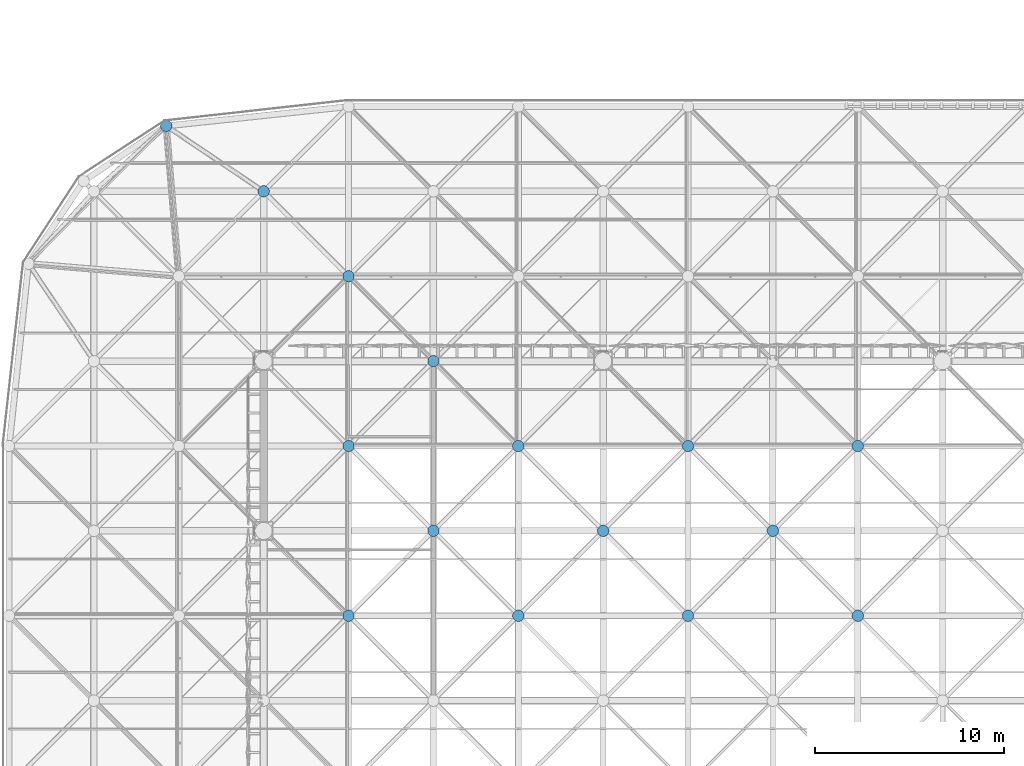
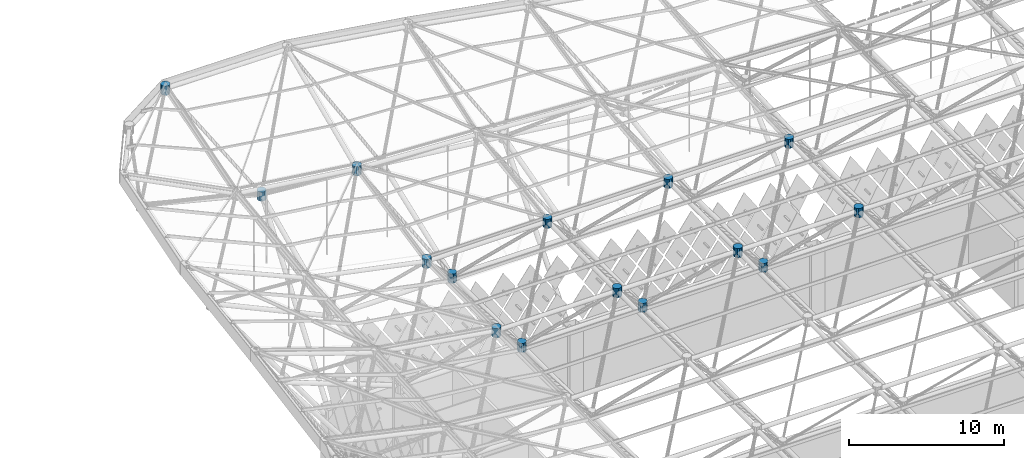
# One storey, part 318 of 437: 15 discrete accessories.
"""IFC4 building model written with IfcOpenShell, lengths in metres."""

from ifc_helpers import new_model, si_unit, direction, frame, origin, place, context, subcontext, project, spatial, polyline, outline, extrude, material, type_object, element, save


model = new_model("IFC4")

# Units and contexts
model_context = context("Model", 3, precision=1e-05, world=origin(), true_north=direction((0.0, 1.0)))
body_context = subcontext(model_context, "Body", "Model", "MODEL_VIEW")
ifc_project = project(units=[si_unit("LENGTHUNIT", "METRE"), si_unit("AREAUNIT", "SQUARE_METRE"), si_unit("VOLUMEUNIT", "CUBIC_METRE"), si_unit("PLANEANGLEUNIT", "RADIAN"), si_unit("MASSUNIT", "GRAM", prefix="KILO")], contexts=[model_context])

# Site, building, storey
site_placement = place(None, origin())
site = spatial("IfcSite", under=ifc_project, at=site_placement, CompositionType="ELEMENT")
building_placement = place(site_placement, origin())
building = spatial("IfcBuilding", under=site, at=building_placement, Name="Opaline Strait Convention Centre", CompositionType="ELEMENT")
storey_placement = place(building_placement, frame((0.0, 0.0, 11.5)))
storey = spatial("IfcBuildingStorey", under=building, at=storey_placement, Name="L02", CompositionType="ELEMENT", Elevation=11.5)

# Discrete accessories
ifc_material = material(Name="Cast steel ZG300-500H (300 MPa)", Category="steel")
discrete_accessory_type = type_object("IfcDiscreteAccessoryType", Name="Space frame node hub D600", PredefinedType="USERDEFINED", material=ifc_material)
discrete_accessory_1_placement = place(storey_placement, frame((0.0, 0.0, 24.340087890625)))
element("IfcDiscreteAccessory", 1, at=discrete_accessory_1_placement, inside=storey, type_object=discrete_accessory_type, Name="Top node 2/15", ObjectType="NODE HUB", PredefinedType="USERDEFINED", context=body_context, shape_type="SweptSolid", body=[
    extrude(outline(polyline([(94.1337890625, 165.531982421875), (94.088134765625, 165.642333984375), (94.003662109375, 165.726806640625), (93.893310546875, 165.7724609375), (93.774169921875, 165.7724609375), (93.663818359375, 165.726806640625), (93.579345703125, 165.642333984375), (93.53369140625, 165.531982421875), (93.53369140625, 165.41259765625), (93.579345703125, 165.302490234375), (93.663818359375, 165.218017578125), (93.774169921875, 165.17236328125), (93.893310546875, 165.17236328125), (94.003662109375, 165.218017578125), (94.088134765625, 165.302490234375), (94.1337890625, 165.41259765625), (94.1337890625, 165.531982421875)])), origin(), (0.0, 0.0, 1.0), 0.719970703125),
])
discrete_accessory_2_placement = place(storey_placement, frame((0.0, 0.0, 17.611572265625)))
element("IfcDiscreteAccessory", 2, at=discrete_accessory_2_placement, inside=storey, type_object=discrete_accessory_type, Name="Top node 3/12", ObjectType="NODE HUB", PredefinedType="USERDEFINED", context=body_context, shape_type="SweptSolid", body=[
    extrude(outline(polyline([(103.800048828125, 139.559814453125), (103.75439453125, 139.669921875), (103.669921875, 139.75439453125), (103.559814453125, 139.800048828125), (103.440185546875, 139.800048828125), (103.330078125, 139.75439453125), (103.24560546875, 139.669921875), (103.199951171875, 139.559814453125), (103.199951171875, 139.440185546875), (103.24560546875, 139.330078125), (103.330078125, 139.24560546875), (103.440185546875, 139.199951171875), (103.559814453125, 139.199951171875), (103.669921875, 139.24560546875), (103.75439453125, 139.330078125), (103.800048828125, 139.440185546875), (103.800048828125, 139.559814453125)])), origin(), (0.0, 0.0, 1.0), 0.719970703125),
])
discrete_accessory_3_placement = place(storey_placement, frame((0.0, 0.0, 17.611572265625)))
element("IfcDiscreteAccessory", 3, at=discrete_accessory_3_placement, inside=storey, type_object=discrete_accessory_type, Name="Top node 3/13", ObjectType="NODE HUB", PredefinedType="USERDEFINED", context=body_context, shape_type="SweptSolid", body=[
    extrude(outline(polyline([(103.800048828125, 148.559814453125), (103.75439453125, 148.669921875), (103.669921875, 148.75439453125), (103.559814453125, 148.800048828125), (103.440185546875, 148.800048828125), (103.330078125, 148.75439453125), (103.24560546875, 148.669921875), (103.199951171875, 148.559814453125), (103.199951171875, 148.440185546875), (103.24560546875, 148.330078125), (103.330078125, 148.24560546875), (103.440185546875, 148.199951171875), (103.559814453125, 148.199951171875), (103.669921875, 148.24560546875), (103.75439453125, 148.330078125), (103.800048828125, 148.440185546875), (103.800048828125, 148.559814453125)])), origin(), (0.0, 0.0, 1.0), 0.719970703125),
])
discrete_accessory_4_placement = place(storey_placement, frame((0.0, 0.0, 19.449462890625)))
element("IfcDiscreteAccessory", 4, at=discrete_accessory_4_placement, inside=storey, type_object=discrete_accessory_type, Name="Top node 3/14", ObjectType="NODE HUB", PredefinedType="USERDEFINED", context=body_context, shape_type="SweptSolid", body=[
    extrude(outline(polyline([(103.800048828125, 157.559814453125), (103.75439453125, 157.669921875), (103.669921875, 157.75439453125), (103.559814453125, 157.800048828125), (103.440185546875, 157.800048828125), (103.330078125, 157.75439453125), (103.24560546875, 157.669921875), (103.199951171875, 157.559814453125), (103.199951171875, 157.440185546875), (103.24560546875, 157.330078125), (103.330078125, 157.24560546875), (103.440185546875, 157.199951171875), (103.559814453125, 157.199951171875), (103.669921875, 157.24560546875), (103.75439453125, 157.330078125), (103.800048828125, 157.440185546875), (103.800048828125, 157.559814453125)])), origin(), (0.0, 0.0, 1.0), 0.719970703125),
])
discrete_accessory_5_placement = place(storey_placement, frame((0.0, 0.0, 17.611572265625)))
element("IfcDiscreteAccessory", 5, at=discrete_accessory_5_placement, inside=storey, type_object=discrete_accessory_type, Name="Top node 4/12", ObjectType="NODE HUB", PredefinedType="USERDEFINED", context=body_context, shape_type="SweptSolid", body=[
    extrude(outline(polyline([(112.800048828125, 139.559814453125), (112.75439453125, 139.669921875), (112.669921875, 139.75439453125), (112.559814453125, 139.800048828125), (112.440185546875, 139.800048828125), (112.330078125, 139.75439453125), (112.24560546875, 139.669921875), (112.199951171875, 139.559814453125), (112.199951171875, 139.440185546875), (112.24560546875, 139.330078125), (112.330078125, 139.24560546875), (112.440185546875, 139.199951171875), (112.559814453125, 139.199951171875), (112.669921875, 139.24560546875), (112.75439453125, 139.330078125), (112.800048828125, 139.440185546875), (112.800048828125, 139.559814453125)])), origin(), (0.0, 0.0, 1.0), 0.719970703125),
])
discrete_accessory_6_placement = place(storey_placement, frame((0.0, 0.0, 17.611572265625)))
element("IfcDiscreteAccessory", 6, at=discrete_accessory_6_placement, inside=storey, type_object=discrete_accessory_type, Name="Top node 4/13", ObjectType="NODE HUB", PredefinedType="USERDEFINED", context=body_context, shape_type="SweptSolid", body=[
    extrude(outline(polyline([(112.800048828125, 148.559814453125), (112.75439453125, 148.669921875), (112.669921875, 148.75439453125), (112.559814453125, 148.800048828125), (112.440185546875, 148.800048828125), (112.330078125, 148.75439453125), (112.24560546875, 148.669921875), (112.199951171875, 148.559814453125), (112.199951171875, 148.440185546875), (112.24560546875, 148.330078125), (112.330078125, 148.24560546875), (112.440185546875, 148.199951171875), (112.559814453125, 148.199951171875), (112.669921875, 148.24560546875), (112.75439453125, 148.330078125), (112.800048828125, 148.440185546875), (112.800048828125, 148.559814453125)])), origin(), (0.0, 0.0, 1.0), 0.719970703125),
])
discrete_accessory_7_placement = place(storey_placement, frame((0.0, 0.0, 17.611572265625)))
element("IfcDiscreteAccessory", 7, at=discrete_accessory_7_placement, inside=storey, type_object=discrete_accessory_type, Name="Top node 5/12", ObjectType="NODE HUB", PredefinedType="USERDEFINED", context=body_context, shape_type="SweptSolid", body=[
    extrude(outline(polyline([(121.800048828125, 139.559814453125), (121.75439453125, 139.669921875), (121.669921875, 139.75439453125), (121.559814453125, 139.800048828125), (121.440185546875, 139.800048828125), (121.330078125, 139.75439453125), (121.24560546875, 139.669921875), (121.199951171875, 139.559814453125), (121.199951171875, 139.440185546875), (121.24560546875, 139.330078125), (121.330078125, 139.24560546875), (121.440185546875, 139.199951171875), (121.559814453125, 139.199951171875), (121.669921875, 139.24560546875), (121.75439453125, 139.330078125), (121.800048828125, 139.440185546875), (121.800048828125, 139.559814453125)])), origin(), (0.0, 0.0, 1.0), 0.719970703125),
])
discrete_accessory_8_placement = place(storey_placement, frame((0.0, 0.0, 17.611572265625)))
element("IfcDiscreteAccessory", 8, at=discrete_accessory_8_placement, inside=storey, type_object=discrete_accessory_type, Name="Top node 5/13", ObjectType="NODE HUB", PredefinedType="USERDEFINED", context=body_context, shape_type="SweptSolid", body=[
    extrude(outline(polyline([(121.800048828125, 148.559814453125), (121.75439453125, 148.669921875), (121.669921875, 148.75439453125), (121.559814453125, 148.800048828125), (121.440185546875, 148.800048828125), (121.330078125, 148.75439453125), (121.24560546875, 148.669921875), (121.199951171875, 148.559814453125), (121.199951171875, 148.440185546875), (121.24560546875, 148.330078125), (121.330078125, 148.24560546875), (121.440185546875, 148.199951171875), (121.559814453125, 148.199951171875), (121.669921875, 148.24560546875), (121.75439453125, 148.330078125), (121.800048828125, 148.440185546875), (121.800048828125, 148.559814453125)])), origin(), (0.0, 0.0, 1.0), 0.719970703125),
])
discrete_accessory_9_placement = place(storey_placement, frame((0.0, 0.0, 17.611572265625)))
element("IfcDiscreteAccessory", 9, at=discrete_accessory_9_placement, inside=storey, type_object=discrete_accessory_type, Name="Top node 6/12", ObjectType="NODE HUB", PredefinedType="USERDEFINED", context=body_context, shape_type="SweptSolid", body=[
    extrude(outline(polyline([(130.800048828125, 139.559814453125), (130.75439453125, 139.669921875), (130.669921875, 139.75439453125), (130.559814453125, 139.800048828125), (130.440185546875, 139.800048828125), (130.330078125, 139.75439453125), (130.24560546875, 139.669921875), (130.199951171875, 139.559814453125), (130.199951171875, 139.440185546875), (130.24560546875, 139.330078125), (130.330078125, 139.24560546875), (130.440185546875, 139.199951171875), (130.559814453125, 139.199951171875), (130.669921875, 139.24560546875), (130.75439453125, 139.330078125), (130.800048828125, 139.440185546875), (130.800048828125, 139.559814453125)])), origin(), (0.0, 0.0, 1.0), 0.719970703125),
])
discrete_accessory_10_placement = place(storey_placement, frame((0.0, 0.0, 17.611572265625)))
element("IfcDiscreteAccessory", 10, at=discrete_accessory_10_placement, inside=storey, type_object=discrete_accessory_type, Name="Top node 6/13", ObjectType="NODE HUB", PredefinedType="USERDEFINED", context=body_context, shape_type="SweptSolid", body=[
    extrude(outline(polyline([(130.800048828125, 148.559814453125), (130.75439453125, 148.669921875), (130.669921875, 148.75439453125), (130.559814453125, 148.800048828125), (130.440185546875, 148.800048828125), (130.330078125, 148.75439453125), (130.24560546875, 148.669921875), (130.199951171875, 148.559814453125), (130.199951171875, 148.440185546875), (130.24560546875, 148.330078125), (130.330078125, 148.24560546875), (130.440185546875, 148.199951171875), (130.559814453125, 148.199951171875), (130.669921875, 148.24560546875), (130.75439453125, 148.330078125), (130.800048828125, 148.440185546875), (130.800048828125, 148.559814453125)])), origin(), (0.0, 0.0, 1.0), 0.719970703125),
])
discrete_accessory_11_placement = place(storey_placement, frame((0.0, 0.0, 16.29638671875)))
element("IfcDiscreteAccessory", 11, at=discrete_accessory_11_placement, inside=storey, type_object=discrete_accessory_type, Name="Bottom node 2/14", ObjectType="NODE HUB", PredefinedType="USERDEFINED", context=body_context, shape_type="SweptSolid", body=[
    extrude(outline(polyline([(99.300048828125, 162.059814453125), (99.25439453125, 162.169921875), (99.169921875, 162.25439453125), (99.059814453125, 162.300048828125), (98.940185546875, 162.300048828125), (98.830078125, 162.25439453125), (98.74560546875, 162.169921875), (98.699951171875, 162.059814453125), (98.699951171875, 161.940185546875), (98.74560546875, 161.830078125), (98.830078125, 161.74560546875), (98.940185546875, 161.699951171875), (99.059814453125, 161.699951171875), (99.169921875, 161.74560546875), (99.25439453125, 161.830078125), (99.300048828125, 161.940185546875), (99.300048828125, 162.059814453125)])), origin(), (0.0, 0.0, 1.0), 0.719970703125),
])
discrete_accessory_12_placement = place(storey_placement, frame((0.0, 0.0, 12.139892578125)))
element("IfcDiscreteAccessory", 12, at=discrete_accessory_12_placement, inside=storey, type_object=discrete_accessory_type, Name="Bottom node 3/12", ObjectType="NODE HUB", PredefinedType="USERDEFINED", context=body_context, shape_type="SweptSolid", body=[
    extrude(outline(polyline([(108.300048828125, 144.059814453125), (108.25439453125, 144.169921875), (108.169921875, 144.25439453125), (108.059814453125, 144.300048828125), (107.940185546875, 144.300048828125), (107.830078125, 144.25439453125), (107.74560546875, 144.169921875), (107.699951171875, 144.059814453125), (107.699951171875, 143.940185546875), (107.74560546875, 143.830078125), (107.830078125, 143.74560546875), (107.940185546875, 143.699951171875), (108.059814453125, 143.699951171875), (108.169921875, 143.74560546875), (108.25439453125, 143.830078125), (108.300048828125, 143.940185546875), (108.300048828125, 144.059814453125)])), origin(), (0.0, 0.0, 1.0), 0.72021484375),
])
discrete_accessory_13_placement = place(storey_placement, frame((0.0, 0.0, 12.139892578125)))
element("IfcDiscreteAccessory", 13, at=discrete_accessory_13_placement, inside=storey, type_object=discrete_accessory_type, Name="Bottom node 3/13", ObjectType="NODE HUB", PredefinedType="USERDEFINED", context=body_context, shape_type="SweptSolid", body=[
    extrude(outline(polyline([(108.300048828125, 153.059814453125), (108.25439453125, 153.169921875), (108.169921875, 153.25439453125), (108.059814453125, 153.300048828125), (107.940185546875, 153.300048828125), (107.830078125, 153.25439453125), (107.74560546875, 153.169921875), (107.699951171875, 153.059814453125), (107.699951171875, 152.940185546875), (107.74560546875, 152.830078125), (107.830078125, 152.74560546875), (107.940185546875, 152.699951171875), (108.059814453125, 152.699951171875), (108.169921875, 152.74560546875), (108.25439453125, 152.830078125), (108.300048828125, 152.940185546875), (108.300048828125, 153.059814453125)])), origin(), (0.0, 0.0, 1.0), 0.72021484375),
])
discrete_accessory_14_placement = place(storey_placement, frame((0.0, 0.0, 12.139892578125)))
element("IfcDiscreteAccessory", 14, at=discrete_accessory_14_placement, inside=storey, type_object=discrete_accessory_type, Name="Bottom node 4/12", ObjectType="NODE HUB", PredefinedType="USERDEFINED", context=body_context, shape_type="SweptSolid", body=[
    extrude(outline(polyline([(117.300048828125, 144.059814453125), (117.25439453125, 144.169921875), (117.169921875, 144.25439453125), (117.059814453125, 144.300048828125), (116.940185546875, 144.300048828125), (116.830078125, 144.25439453125), (116.74560546875, 144.169921875), (116.699951171875, 144.059814453125), (116.699951171875, 143.940185546875), (116.74560546875, 143.830078125), (116.830078125, 143.74560546875), (116.940185546875, 143.699951171875), (117.059814453125, 143.699951171875), (117.169921875, 143.74560546875), (117.25439453125, 143.830078125), (117.300048828125, 143.940185546875), (117.300048828125, 144.059814453125)])), origin(), (0.0, 0.0, 1.0), 0.72021484375),
])
discrete_accessory_15_placement = place(storey_placement, frame((0.0, 0.0, 12.139892578125)))
element("IfcDiscreteAccessory", 15, at=discrete_accessory_15_placement, inside=storey, type_object=discrete_accessory_type, Name="Bottom node 5/12", ObjectType="NODE HUB", PredefinedType="USERDEFINED", context=body_context, shape_type="SweptSolid", body=[
    extrude(outline(polyline([(126.300048828125, 144.059814453125), (126.25439453125, 144.169921875), (126.169921875, 144.25439453125), (126.059814453125, 144.300048828125), (125.940185546875, 144.300048828125), (125.830078125, 144.25439453125), (125.74560546875, 144.169921875), (125.699951171875, 144.059814453125), (125.699951171875, 143.940185546875), (125.74560546875, 143.830078125), (125.830078125, 143.74560546875), (125.940185546875, 143.699951171875), (126.059814453125, 143.699951171875), (126.169921875, 143.74560546875), (126.25439453125, 143.830078125), (126.300048828125, 143.940185546875), (126.300048828125, 144.059814453125)])), origin(), (0.0, 0.0, 1.0), 0.72021484375),
])

save(model, "model.ifc")
